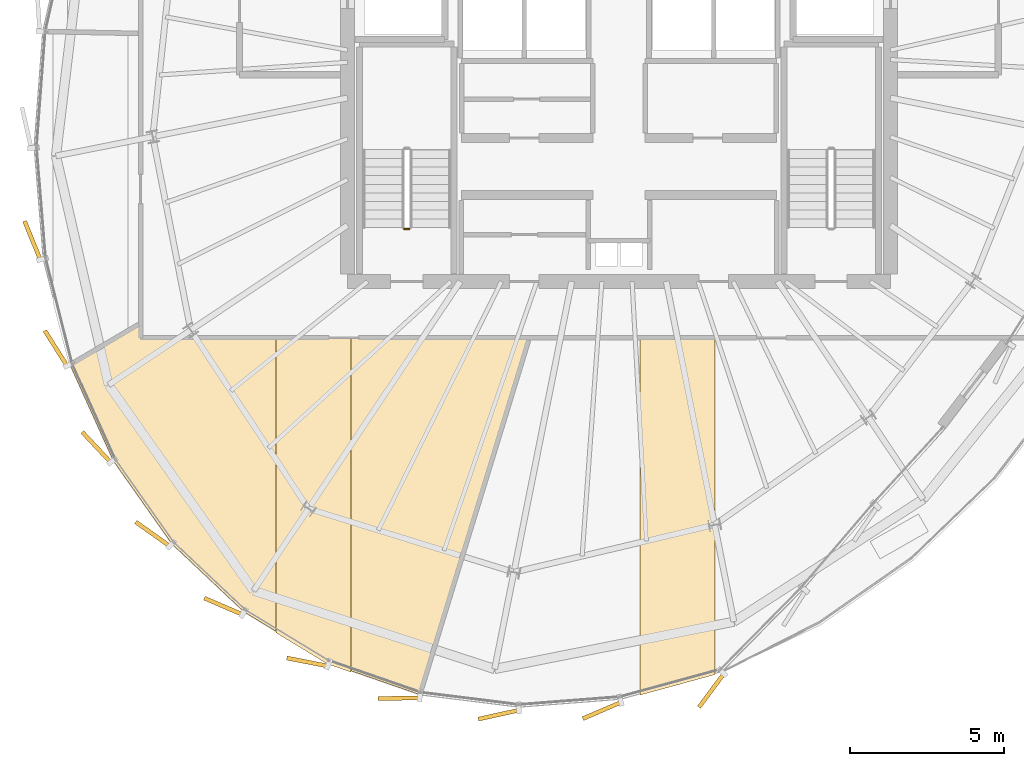
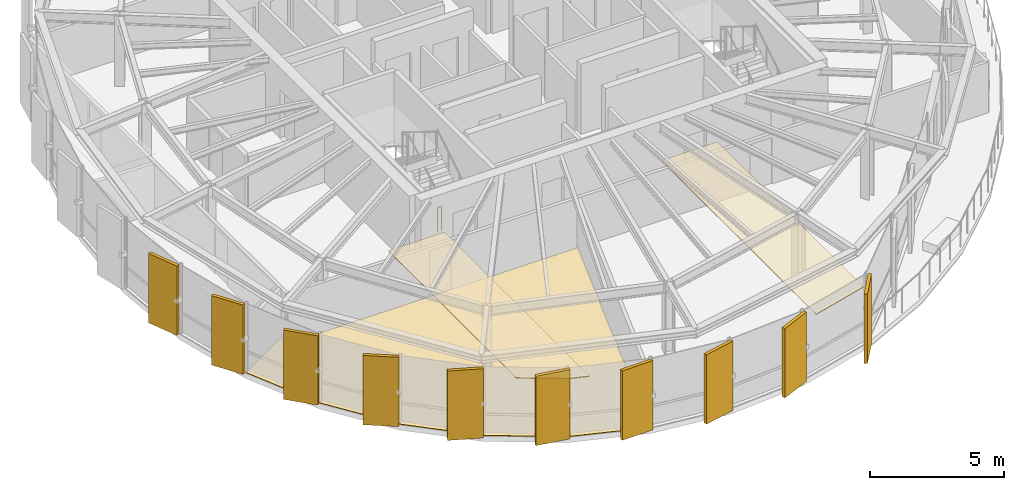
# One storey, part 27 of 30: 13 coverings, 1 railing.
"""IFC4 building model written with IfcOpenShell, lengths in metres."""

from ifc_helpers import new_model, si_unit, direction, frame, origin, origin_2d, place, context, subcontext, project, spatial, polyline, rectangle, circle, outline, extrude, source, transform, mapped, material, layer, layer_set, type_object, element, save


model = new_model("IFC4")

# Units and contexts
model_context = context("Model", 3, precision=1e-05, world=origin(), true_north=direction((0.0, 1.0)))
body_context = subcontext(model_context, "Body", "Model", "MODEL_VIEW")
ifc_project = project(units=[si_unit("LENGTHUNIT", "METRE"), si_unit("AREAUNIT", "SQUARE_METRE"), si_unit("VOLUMEUNIT", "CUBIC_METRE"), si_unit("PLANEANGLEUNIT", "RADIAN"), si_unit("MASSUNIT", "GRAM", prefix="KILO"), si_unit("THERMODYNAMICTEMPERATUREUNIT", "KELVIN")], contexts=[model_context])

# Site, building, storey
site_placement = place(None, origin())
site = spatial("IfcSite", under=ifc_project, at=site_placement, CompositionType="ELEMENT")
building_placement = place(site_placement, origin())
building = spatial("IfcBuilding", under=site, at=building_placement, Name="Kethvar Cultural Tower", CompositionType="ELEMENT")
storey_placement = place(building_placement, frame((0.0, 0.0, 293.949951171875)))
storey = spatial("IfcBuildingStorey", under=building, at=storey_placement, Name="L78", CompositionType="ELEMENT", Elevation=293.949951171875)

# Coverings
ifc_material_1 = material(Name="Acoustic Mineral Fibre Ceiling")
ifc_layer_1 = layer(ifc_material_1, 0.0400390625, Name="Acoustic Mineral Fibre Ceiling")
ifc_layer_set_1 = layer_set([ifc_layer_1], Name="Acoustic Mineral Fibre Ceiling (40 mm)")
covering_type_1 = type_object("IfcCoveringType", Name="CV-ACOUSTIC-CEIL", PredefinedType="CEILING", material=ifc_layer_set_1)
covering_1_placement = place(storey_placement, frame((0.0, 0.0, 2.670166015625)))
element("IfcCovering", 1, at=covering_1_placement, inside=storey, type_object=covering_type_1, Name="L78 Room 01 Acoustic Ceiling Panel", PredefinedType="CEILING", context=body_context, shape_type="SweptSolid", body=[
    extrude(outline(polyline([(37.341064453125, 7.698486328125), (35.68115234375, 8.707275390625), (35.68115234375, 18.2890625), (38.111083984375, 18.2890625), (38.111083984375, 7.431640625), (37.341064453125, 7.698486328125)])), origin(), (0.0, 0.0, 1.0), 0.039794921875),
])
covering_2_placement = place(storey_placement, frame((0.0, 0.0, 2.670166015625)))
element("IfcCovering", 2, at=covering_2_placement, inside=storey, type_object=covering_type_1, Name="L78 Room 02 Acoustic Ceiling Panel", PredefinedType="CEILING", context=body_context, shape_type="SweptSolid", body=[
    extrude(outline(polyline([(47.479248046875, 6.685791015625), (47.479248046875, 18.2890625), (49.9091796875, 18.2890625), (49.9091796875, 7.3505859375), (47.479248046875, 6.685791015625)])), origin(), (0.0, 0.0, 1.0), 0.039794921875),
])
ifc_material_2 = material(Name="Architectural Oak Timber", Category="wood")
ifc_layer_2 = layer(ifc_material_2, 0.02490234375, Name="Architectural Oak Timber", Category="wood")
ifc_layer_set_2 = layer_set([ifc_layer_2], Name="Architectural Oak Timber (25 mm)")
covering_type_2 = type_object("IfcCoveringType", Name="CV-OAK-FLOOR", PredefinedType="FLOORING", material=ifc_layer_set_2)
covering_3_placement = place(storey_placement, origin())
element("IfcCovering", 3, at=covering_3_placement, inside=storey, type_object=covering_type_2, Name="L78 Room 01 Floor Finish", PredefinedType="FLOORING", context=body_context, shape_type="SweptSolid", body=[
    extrude(outline(polyline([(37.358154296875, 7.73486328125), (34.646484375, 9.383056640625), (32.3037109375, 11.5908203125), (30.401123046875, 14.291015625), (29.00341796875, 17.386962890625), (31.27001953125, 18.710205078125), (31.2900390625, 18.2490234375), (43.863525390625, 18.2490234375), (40.3388671875, 6.7021484375), (37.358154296875, 7.73486328125)])), origin(), (0.0, 0.0, 1.0), 0.025146484375),
])

# Railing
ifc_material_3 = material(Name="Steel S355J2", Category="steel")
railing_type = type_object("IfcRailingType", Name="RL-STAIR-GUARD", PredefinedType="BALUSTRADE", material=ifc_material_3)
railing_placement = place(storey_placement, frame((40.0, 21.800048828125, 0.0)))
element("IfcRailing", 4, at=railing_placement, inside=storey, type_object=railing_type, Name="L78 ST-01 stair guard 4", PredefinedType="BALUSTRADE", context=body_context, shape_type="SweptSolid", body=[
    extrude(circle(Radius=0.02392578125, at=origin_2d()), frame((0.0, 0.0, 1.09619140625), z_axis=(-1.0, 0.0, 0.0), x_axis=(0.0, -1.0, 0.0)), (0.0, 0.0, 1.0), 0.159912109375),
    extrude(circle(Radius=0.02099609375, at=origin_2d()), origin(), (0.0, 0.0, 1.0), 1.072021484375),
    extrude(circle(Radius=0.02099609375, at=origin_2d()), frame((-0.159912109375, 0.0, 0.0)), (0.0, 0.0, 1.0), 1.072021484375),
])

# Coverings
ifc_material_4 = material(Name="Extruded Architectural Terracotta", Category="masonry")
ifc_layer_3 = layer(ifc_material_4, 0.135009765625, Name="Extruded Architectural Terracotta", Category="masonry")
ifc_layer_set_3 = layer_set([ifc_layer_3], Name="Extruded Architectural Terracotta (135 mm)")
covering_type_3 = type_object("IfcCoveringType", Name="Terracotta Facade Fin FIN-03", PredefinedType="CLADDING", material=ifc_layer_set_3)
shared_shape = source(origin(), body_context, "Body", "SweptSolid", [
    extrude(rectangle(XDim=1.35009765625, YDim=0.135009765625, at=origin_2d()), origin(), (0.0, 0.0, 1.0), 3.169921875),
])
for number, where, z_axis, x_axis, name in (
    (5, (27.78125, 21.430908203125, 0.02001953125), (0.0, 0.0, 1.0), (-0.377032668542, 0.926199960512, 0.0), "L78 Vertical Terracotta Fin 3.2"),
    (6, (28.544189453125, 17.9326171875, 0.02001953125), (0.0, 0.0, 1.0), (-0.53435234939, 0.845261833222, 0.0), "L78 Vertical Terracotta Fin 3.3"),
    (7, (29.8564453125, 14.727294921875, 0.02001953125), (0.0, 0.0, 1.0), (-0.684165325029, 0.729326955506, 0.0), "L78 Vertical Terracotta Fin 3.4"),
    (8, (31.682861328125, 11.909423828125, 0.02001953125), (0.0, 0.0, 1.0), (-0.81613759008, 0.577857624384, 0.0), "L78 Vertical Terracotta Fin 3.5"),
    (9, (33.97265625, 9.565673828125, 0.02001953125), (0.0, 0.0, 1.0), (-0.918515403068, 0.395385197406, 0.0), "L78 Vertical Terracotta Fin 3.6"),
    (10, (36.694580078125, 7.759521484375, 0.02001953125), (0.0, 0.0, 1.0), (-0.981259047624, 0.192693231472, 0.0), "L78 Vertical Terracotta Fin 4.1"),
    (11, (39.667236328125, 6.58642578125, 0.02001953125), (0.0, 0.0, 1.0), (-0.999876632482, -0.015707317312, 0.0), "L78 Vertical Terracotta Fin 4.2"),
    (12, (42.8974609375, 6.052978515625, 0.02001953125), (0.0, 0.0, 1.0), (-0.976559709305, -0.215246682117, 0.0), "L78 Vertical Terracotta Fin 4.3"),
    (13, (46.248779296875, 6.189697265625, 0.02001953125), (0.0, 0.0, 1.0), (-0.918446381343, -0.395545502563, 0.0), "L78 Vertical Terracotta Fin 4.4"),
    (14, (49.798095703125, 6.837158203125, 0.02001953125), (0.0, 0.0, 1.0), (-0.595524057617, -0.803337473792, 0.0), "L78 Vertical Terracotta Fin 4.5"),
):
    element("IfcCovering", number, at=place(storey_placement, frame(where, z_axis=z_axis, x_axis=x_axis)), inside=storey, type_object=covering_type_3, Name=name, PredefinedType="CLADDING", context=body_context, shape_type="MappedRepresentation", body=[
        mapped(shared_shape, transform((0.0, 0.0, 0.0), scale=1.0)),
    ])

save(model, "model.ifc")
